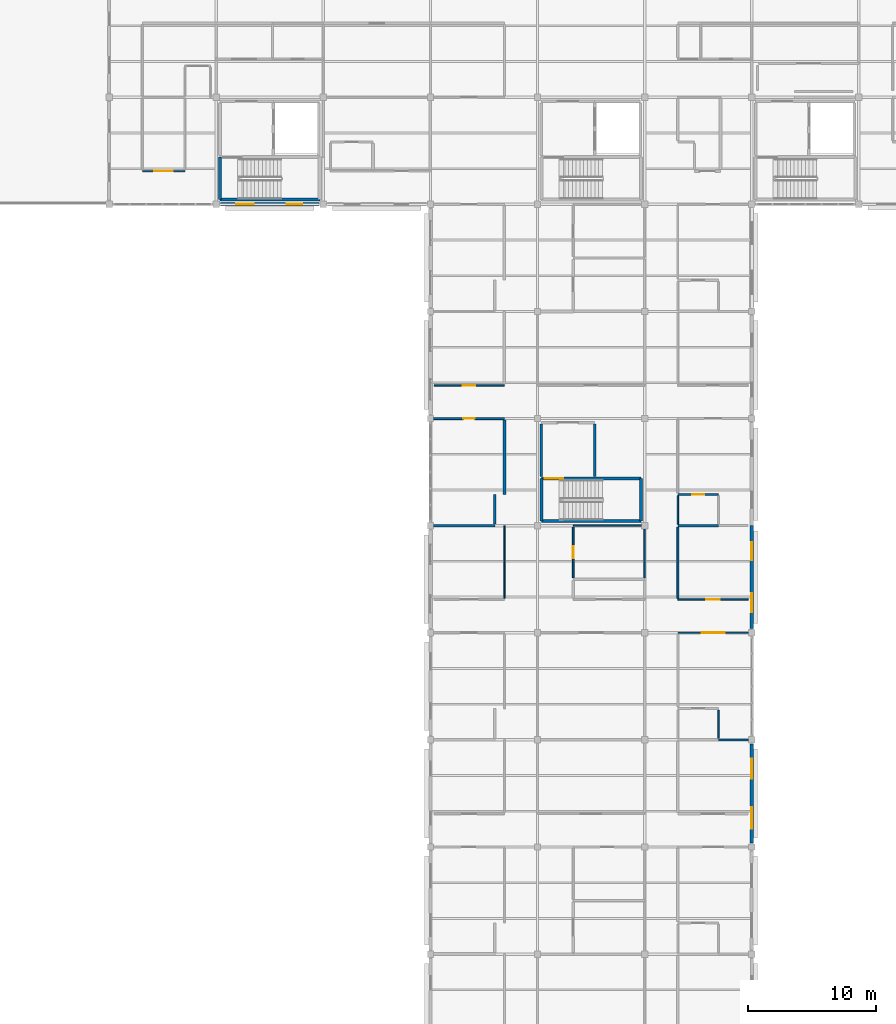
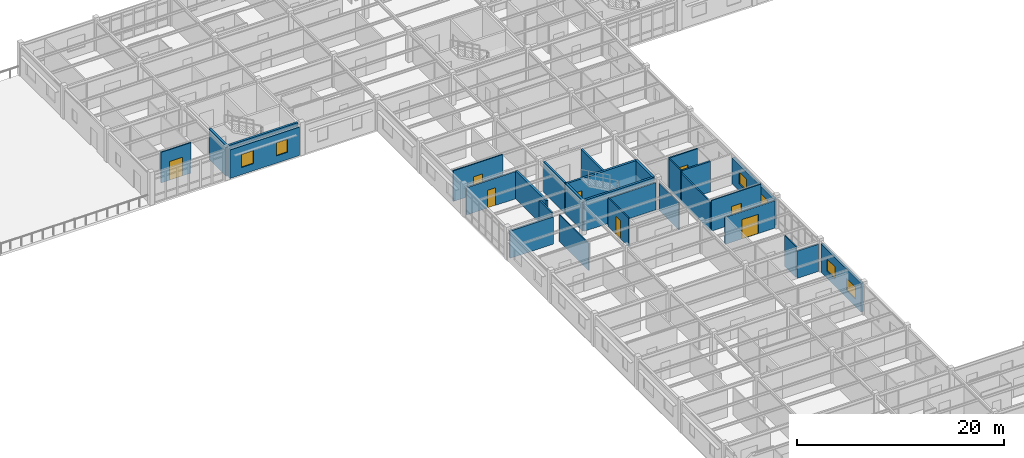
# One storey, part 38 of 53: 29 walls, 8 doors, 6 windows, 14 openings.
"""IFC4 building model written with IfcOpenShell, lengths in metres."""

from ifc_helpers import new_model, si_unit, direction, frame, frame_2d, origin, place, context, subcontext, project, spatial, rectangle, extrude, material, layer, layer_set, type_object, element, fill, save


model = new_model("IFC4")

# Units and contexts
model_context = context("Model", 3, precision=1e-05, world=origin(), true_north=direction((0.0, 1.0)))
body_context = subcontext(model_context, "Body", "Model", "MODEL_VIEW")
ifc_project = project(units=[si_unit("LENGTHUNIT", "METRE"), si_unit("AREAUNIT", "SQUARE_METRE"), si_unit("VOLUMEUNIT", "CUBIC_METRE"), si_unit("PLANEANGLEUNIT", "RADIAN"), si_unit("MASSUNIT", "GRAM", prefix="KILO")], contexts=[model_context])

# Site, building, storey
site_placement = place(None, origin())
site = spatial("IfcSite", under=ifc_project, at=site_placement, CompositionType="ELEMENT")
building_placement = place(site_placement, origin())
building = spatial("IfcBuilding", under=site, at=building_placement, Name="Bramfleet General Hospital", CompositionType="ELEMENT")
storey_placement = place(building_placement, frame((0.0, 0.0, 26.39990234375)))
storey = spatial("IfcBuildingStorey", under=building, at=storey_placement, Name="L06", CompositionType="ELEMENT", Elevation=26.39990234375)

# Wall, openings, windows
ifc_material_1 = material(Name="Precast concrete C40/50", Category="concrete")
ifc_layer_1 = layer(ifc_material_1, 0.280029296875, Name="WT-EW-06")
ifc_layer_set_1 = layer_set([ifc_layer_1], Name="Precast concrete C40/50")
wall_type_1 = type_object("IfcWallType", Name="WT-EW-06", PredefinedType="SOLIDWALL", material=ifc_layer_set_1)
wall_1_placement = place(storey_placement, frame((117.60009765625, 67.199951171875, 0.0), z_axis=(0.0, 0.0, 1.0), x_axis=(0.0, -1.0, 0.0)))
wall_1 = element("IfcWall", 1, at=wall_1_placement, inside=storey, type_object=wall_type_1, Name="L06 Exterior Wall 410", PredefinedType="SOLIDWALL", context=body_context, shape_type="SweptSolid", body=[
    extrude(rectangle(XDim=8.074951171875, YDim=0.280029296875, at=frame_2d((4.03759765625, 0.0))), origin(), (0.0, 0.0, 1.0), 3.110107421875),
])
opening_1_placement = place(wall_1_placement, frame((1.31884765625, 0.0, 0.85009765625)))
opening_1 = element("IfcOpeningElement", 2, at=opening_1_placement, cuts=wall_1, Name="Opening W-15", PredefinedType="OPENING", context=body_context, shape_type="SweptSolid", body=[
    extrude(rectangle(XDim=1.39990234375, YDim=1.419921875, at=frame_2d((0.699951171875, 0.7099609375))), frame((0.0, 0.14990234375, 0.0), z_axis=(0.0, -1.0, 0.0), x_axis=(1.0, 0.0, 0.0)), (0.0, 0.0, 1.0), 0.300048828125),
])
opening_2_placement = place(wall_1_placement, frame((5.306396484375, 0.0, 0.85009765625)))
opening_2 = element("IfcOpeningElement", 3, at=opening_2_placement, cuts=wall_1, Name="Opening W-16", PredefinedType="OPENING", context=body_context, shape_type="SweptSolid", body=[
    extrude(rectangle(XDim=1.5, YDim=1.419921875, at=frame_2d((0.75, 0.7099609375))), frame((0.0, 0.14990234375, 0.0), z_axis=(0.0, -1.0, 0.0), x_axis=(1.0, 0.0, 0.0)), (0.0, 0.0, 1.0), 0.300048828125),
])
ifc_material_2 = material(Name="Anodised aluminium and low-E triple glazing", Category="aluminium")
window_type_1 = type_object("IfcWindowType", Name="WIN-W-15", PartitioningType="SINGLE_PANEL", PredefinedType="WINDOW", material=ifc_material_2)
window_1_placement = place(opening_1_placement, origin())
window_1 = element("IfcWindow", 4, at=window_1_placement, inside=storey, type_object=window_type_1, Name="L06 Facade Window WIN-L06-410-1", OverallHeight=1.419921875, OverallWidth=1.39990234375, PartitioningType="SINGLE_PANEL", PredefinedType="WINDOW", context=body_context, shape_type="SweptSolid", body=[
    extrude(rectangle(XDim=1.39990234375, YDim=1.419921875, at=frame_2d((0.699951171875, 0.7099609375))), frame((0.0, 0.030029296875, 0.0), z_axis=(0.0, -1.0, 0.0), x_axis=(1.0, 0.0, 0.0)), (0.0, 0.0, 1.0), 0.06005859375),
])
fill(opening_1, window_1)
window_type_2 = type_object("IfcWindowType", Name="WIN-W-16", PartitioningType="SINGLE_PANEL", PredefinedType="WINDOW", material=ifc_material_2)
window_2_placement = place(opening_2_placement, origin())
window_2 = element("IfcWindow", 5, at=window_2_placement, inside=storey, type_object=window_type_2, Name="L06 Facade Window WIN-L06-410-2", OverallHeight=1.419921875, OverallWidth=1.5, PartitioningType="SINGLE_PANEL", PredefinedType="WINDOW", context=body_context, shape_type="SweptSolid", body=[
    extrude(rectangle(XDim=1.5, YDim=1.419921875, at=frame_2d((0.75, 0.7099609375))), frame((0.0, 0.030029296875, 0.0), z_axis=(0.0, -1.0, 0.0), x_axis=(1.0, 0.0, 0.0)), (0.0, 0.0, 1.0), 0.06005859375),
])
fill(opening_2, window_2)

ifc_layer_2 = layer(ifc_material_1, 0.264892578125, Name="WT-EW-07")
ifc_layer_set_2 = layer_set([ifc_layer_2], Name="Precast concrete C40/50")
wall_type_2 = type_object("IfcWallType", Name="WT-EW-07", PredefinedType="SOLIDWALL", material=ifc_layer_set_2)
wall_2_placement = place(storey_placement, frame((83.675048828125, 92.39990234375, 0.0), z_axis=(0.0, 0.0, 1.0), x_axis=(-1.0, 0.0, 0.0)))
wall_2 = element("IfcWall", 6, at=wall_2_placement, inside=storey, type_object=wall_type_2, Name="L06 Exterior Wall 390", PredefinedType="SOLIDWALL", context=body_context, shape_type="SweptSolid", body=[
    extrude(rectangle(XDim=7.75, YDim=0.264892578125, at=frame_2d((3.875, 0.0))), origin(), (0.0, 0.0, 1.0), 3.360107421875),
])
opening_3_placement = place(wall_2_placement, frame((1.3125, 0.0, 0.85009765625)))
opening_3 = element("IfcOpeningElement", 7, at=opening_3_placement, cuts=wall_2, Name="Opening W-23", PredefinedType="OPENING", context=body_context, shape_type="SweptSolid", body=[
    extrude(rectangle(XDim=1.25, YDim=1.5400390625, at=frame_2d((0.625, 0.77001953125))), frame((0.0, 0.142333984375, 0.0), z_axis=(0.0, -1.0, 0.0), x_axis=(1.0, 0.0, 0.0)), (0.0, 0.0, 1.0), 0.284912109375),
])
opening_4_placement = place(wall_2_placement, frame((5.137451171875, 0.0, 0.85009765625)))
opening_4 = element("IfcOpeningElement", 8, at=opening_4_placement, cuts=wall_2, Name="Opening W-24", PredefinedType="OPENING", context=body_context, shape_type="SweptSolid", body=[
    extrude(rectangle(XDim=1.35009765625, YDim=1.5400390625, at=frame_2d((0.675048828125, 0.77001953125))), frame((0.0, 0.142333984375, 0.0), z_axis=(0.0, -1.0, 0.0), x_axis=(1.0, 0.0, 0.0)), (0.0, 0.0, 1.0), 0.284912109375),
])
window_type_3 = type_object("IfcWindowType", Name="WIN-W-23", PartitioningType="SINGLE_PANEL", PredefinedType="WINDOW", material=ifc_material_2)
window_3_placement = place(opening_3_placement, origin())
window_3 = element("IfcWindow", 9, at=window_3_placement, inside=storey, type_object=window_type_3, Name="L06 Facade Window WIN-L06-390-1", OverallHeight=1.5400390625, OverallWidth=1.25, PartitioningType="SINGLE_PANEL", PredefinedType="WINDOW", context=body_context, shape_type="SweptSolid", body=[
    extrude(rectangle(XDim=1.25, YDim=1.5400390625, at=frame_2d((0.625, 0.77001953125))), frame((0.0, 0.030029296875, 0.0), z_axis=(0.0, -1.0, 0.0), x_axis=(1.0, 0.0, 0.0)), (0.0, 0.0, 1.0), 0.06005859375),
])
fill(opening_3, window_3)
window_type_4 = type_object("IfcWindowType", Name="WIN-W-24", PartitioningType="SINGLE_PANEL", PredefinedType="WINDOW", material=ifc_material_2)
window_4_placement = place(opening_4_placement, origin())
window_4 = element("IfcWindow", 10, at=window_4_placement, inside=storey, type_object=window_type_4, Name="L06 Facade Window WIN-L06-390-2", OverallHeight=1.5400390625, OverallWidth=1.35009765625, PartitioningType="SINGLE_PANEL", PredefinedType="WINDOW", context=body_context, shape_type="SweptSolid", body=[
    extrude(rectangle(XDim=1.35009765625, YDim=1.5400390625, at=frame_2d((0.675048828125, 0.77001953125))), frame((0.0, 0.030029296875, 0.0), z_axis=(0.0, -1.0, 0.0), x_axis=(1.0, 0.0, 0.0)), (0.0, 0.0, 1.0), 0.06005859375),
])
fill(opening_4, window_4)

wall_3_placement = place(storey_placement, frame((117.60009765625, 50.074951171875, 0.0), z_axis=(0.0, 0.0, 1.0), x_axis=(0.0, -1.0, 0.0)))
wall_3 = element("IfcWall", 11, at=wall_3_placement, inside=storey, type_object=wall_type_2, Name="L06 Exterior Wall 411", PredefinedType="SOLIDWALL", context=body_context, shape_type="SweptSolid", body=[
    extrude(rectangle(XDim=7.75, YDim=0.264892578125, at=frame_2d((3.875, 0.0))), origin(), (0.0, 0.0, 1.0), 3.380126953125),
])
opening_5_placement = place(wall_3_placement, frame((1.137451171875, 0.0, 0.85009765625)))
opening_5 = element("IfcOpeningElement", 12, at=opening_5_placement, cuts=wall_3, Name="Opening W-17", PredefinedType="OPENING", context=body_context, shape_type="SweptSolid", body=[
    extrude(rectangle(XDim=1.60009765625, YDim=1.419921875, at=frame_2d((0.800048828125, 0.7099609375))), frame((0.0, 0.142333984375, 0.0), z_axis=(0.0, -1.0, 0.0), x_axis=(1.0, 0.0, 0.0)), (0.0, 0.0, 1.0), 0.284912109375),
])
opening_6_placement = place(wall_3_placement, frame((4.96240234375, 0.0, 0.85009765625)))
opening_6 = element("IfcOpeningElement", 13, at=opening_6_placement, cuts=wall_3, Name="Opening W-18", PredefinedType="OPENING", context=body_context, shape_type="SweptSolid", body=[
    extrude(rectangle(XDim=1.699951171875, YDim=1.419921875, at=frame_2d((0.85009765625, 0.7099609375))), frame((0.0, 0.142333984375, 0.0), z_axis=(0.0, -1.0, 0.0), x_axis=(1.0, 0.0, 0.0)), (0.0, 0.0, 1.0), 0.284912109375),
])
window_type_5 = type_object("IfcWindowType", Name="WIN-W-17", PartitioningType="SINGLE_PANEL", PredefinedType="WINDOW", material=ifc_material_2)
window_5_placement = place(opening_5_placement, origin())
window_5 = element("IfcWindow", 14, at=window_5_placement, inside=storey, type_object=window_type_5, Name="L06 Facade Window WIN-L06-411-1", OverallHeight=1.419921875, OverallWidth=1.60009765625, PartitioningType="SINGLE_PANEL", PredefinedType="WINDOW", context=body_context, shape_type="SweptSolid", body=[
    extrude(rectangle(XDim=1.60009765625, YDim=1.419921875, at=frame_2d((0.800048828125, 0.7099609375))), frame((0.0, 0.030029296875, 0.0), z_axis=(0.0, -1.0, 0.0), x_axis=(1.0, 0.0, 0.0)), (0.0, 0.0, 1.0), 0.06005859375),
])
fill(opening_5, window_5)
window_type_6 = type_object("IfcWindowType", Name="WIN-W-18", PartitioningType="SINGLE_PANEL", PredefinedType="WINDOW", material=ifc_material_2)
window_6_placement = place(opening_6_placement, origin())
window_6 = element("IfcWindow", 15, at=window_6_placement, inside=storey, type_object=window_type_6, Name="L06 Facade Window WIN-L06-411-2", OverallHeight=1.419921875, OverallWidth=1.699951171875, PartitioningType="SINGLE_PANEL", PredefinedType="WINDOW", context=body_context, shape_type="SweptSolid", body=[
    extrude(rectangle(XDim=1.699951171875, YDim=1.419921875, at=frame_2d((0.85009765625, 0.7099609375))), frame((0.0, 0.030029296875, 0.0), z_axis=(0.0, -1.0, 0.0), x_axis=(1.0, 0.0, 0.0)), (0.0, 0.0, 1.0), 0.06005859375),
])
fill(opening_6, window_6)

# Walls
ifc_material_3 = material(Name="Concrete C35/45", Category="concrete")
ifc_layer_3 = layer(ifc_material_3, 0.219970703125, Name="WT-IW-01")
ifc_layer_set_3 = layer_set([ifc_layer_3], Name="Concrete C35/45")
wall_type_3 = type_object("IfcWallType", Name="WT-IW-01", PredefinedType="PARTITIONING", material=ifc_layer_set_3)
wall_4_placement = place(storey_placement, frame((98.199951171875, 69.64990234375, 0.0), z_axis=(0.0, 0.0, 1.0), x_axis=(0.0, 1.0, 0.0)))
element("IfcWall", 16, at=wall_4_placement, inside=storey, type_object=wall_type_3, Name="L06 Interior Partition IW-L06-4021", PredefinedType="PARTITIONING", context=body_context, shape_type="SweptSolid", body=[
    extrude(rectangle(XDim=5.835205078125, YDim=0.219970703125, at=frame_2d((2.91748046875, 0.0))), origin(), (0.0, 0.0, 1.0), 3.340087890625),
])
ifc_layer_4 = layer(ifc_material_3, 0.205078125, Name="WT-IW-02")
ifc_layer_set_4 = layer_set([ifc_layer_4], Name="Concrete C35/45")
wall_type_4 = type_object("IfcWallType", Name="WT-IW-02", PredefinedType="PARTITIONING", material=ifc_layer_set_4)
for number, where, z_axis, x_axis, name in (
    (17, (105.280029296875, 71.0400390625, 0.0), (0.0, 0.0, 1.0), (0.0, 1.0, 0.0), "L06 C11 Lobby East Shaft Wall"),
    (18, (101.10009765625, 71.0400390625, 0.0), (0.0, 0.0, 1.0), (0.0, 1.0, 0.0), "L06 C11 Lobby West Compartment Wall"),
):
    element("IfcWall", number, at=place(storey_placement, frame(where, z_axis=z_axis, x_axis=x_axis)), inside=storey, type_object=wall_type_4, Name=name, PredefinedType="PARTITIONING", context=body_context, shape_type="SweptSolid", body=[
        extrude(rectangle(XDim=4.119873046875, YDim=0.205078125, at=frame_2d((2.06005859375, 0.0))), origin(), (0.0, 0.0, 1.0), 3.610107421875),
    ])
wall_5_placement = place(storey_placement, frame((92.64501953125, 67.199951171875, 0.0), z_axis=(0.0, 0.0, 1.0), x_axis=(1.0, 0.0, 0.0)))
element("IfcWall", 19, at=wall_5_placement, inside=storey, type_object=wall_type_4, Name="L06 Interior Partition IW-L06-3902", PredefinedType="PARTITIONING", context=body_context, shape_type="SweptSolid", body=[
    extrude(rectangle(XDim=4.804931640625, YDim=0.205078125, at=frame_2d((2.40234375, 0.0))), origin(), (0.0, 0.0, 1.0), 3.210205078125),
])
ifc_layer_5 = layer(ifc_material_3, 0.18994140625, Name="WT-IW-03")
ifc_layer_set_5 = layer_set([ifc_layer_5], Name="Concrete C35/45")
wall_type_5 = type_object("IfcWallType", Name="WT-IW-03", PredefinedType="PARTITIONING", material=ifc_layer_set_5)
wall_6_placement = place(storey_placement, frame((97.449951171875, 67.31494140625, 0.0), z_axis=(0.0, 0.0, 1.0), x_axis=(0.0, 1.0, 0.0)))
element("IfcWall", 20, at=wall_6_placement, inside=storey, type_object=wall_type_5, Name="L06 Interior Partition IW-L06-4011", PredefinedType="PARTITIONING", context=body_context, shape_type="SweptSolid", body=[
    extrude(rectangle(XDim=2.3349609375, YDim=0.18994140625, at=frame_2d((1.16748046875, 0.0))), origin(), (0.0, 0.0, 1.0), 3.610107421875),
])
ifc_layer_6 = layer(ifc_material_3, 0.179931640625, Name="WT-IW-04")
ifc_layer_set_6 = layer_set([ifc_layer_6], Name="Concrete C35/45")
wall_type_6 = type_object("IfcWallType", Name="WT-IW-04", PredefinedType="PARTITIONING", material=ifc_layer_set_6)
wall_7_placement = place(storey_placement, frame((111.800048828125, 67.199951171875, 0.0), z_axis=(0.0, 0.0, 1.0), x_axis=(1.0, 0.0, 0.0)))
element("IfcWall", 21, at=wall_7_placement, inside=storey, type_object=wall_type_6, Name="L06 Interior Partition IW-L06-3904", PredefinedType="PARTITIONING", context=body_context, shape_type="SweptSolid", body=[
    extrude(rectangle(XDim=3.199951171875, YDim=0.179931640625, at=frame_2d((1.60009765625, 0.0))), origin(), (0.0, 0.0, 1.0), 3.610107421875),
])
ifc_material_4 = material(Name="Gypsum plasterboard on acoustic steel studs", Category="steel")
ifc_layer_7 = layer(ifc_material_4, 0.169921875, Name="WT-IW-05")
ifc_layer_set_7 = layer_set([ifc_layer_7], Name="Gypsum plasterboard on acoustic steel studs")
wall_type_7 = type_object("IfcWallType", Name="WT-IW-05", PredefinedType="PARTITIONING", material=ifc_layer_set_7)
wall_8_placement = place(storey_placement, frame((115.0, 50.39990234375, 0.0), z_axis=(0.0, 0.0, 1.0), x_axis=(1.0, 0.0, 0.0)))
element("IfcWall", 22, at=wall_8_placement, inside=storey, type_object=wall_type_7, Name="L06 Interior Partition IW-L06-3893", PredefinedType="PARTITIONING", context=body_context, shape_type="SweptSolid", body=[
    extrude(rectangle(XDim=2.35498046875, YDim=0.169921875, at=frame_2d((1.177490234375, 0.0))), origin(), (0.0, 0.0, 1.0), 3.210205078125),
])

# Wall, opening, door
ifc_layer_8 = layer(ifc_material_4, 0.159912109375, Name="WT-IW-06")
ifc_layer_set_8 = layer_set([ifc_layer_8], Name="Gypsum plasterboard on acoustic steel studs")
wall_type_8 = type_object("IfcWallType", Name="WT-IW-06", PredefinedType="PARTITIONING", material=ifc_layer_set_8)
wall_9_placement = place(storey_placement, frame((111.800048828125, 69.64990234375, 0.0), z_axis=(0.0, 0.0, 1.0), x_axis=(1.0, 0.0, 0.0)))
wall_9 = element("IfcWall", 23, at=wall_9_placement, inside=storey, type_object=wall_type_8, Name="L06 Interior Partition IW-L06-3906", PredefinedType="PARTITIONING", context=body_context, shape_type="SweptSolid", body=[
    extrude(rectangle(XDim=3.199951171875, YDim=0.159912109375, at=frame_2d((1.60009765625, 0.0))), origin(), (0.0, 0.0, 1.0), 3.610107421875),
])
opening_7_placement = place(wall_9_placement, frame((1.125, 0.0, 0.0)))
opening_7 = element("IfcOpeningElement", 24, at=opening_7_placement, cuts=wall_9, Name="Opening D1496", PredefinedType="OPENING", context=body_context, shape_type="SweptSolid", body=[
    extrude(rectangle(XDim=0.949951171875, YDim=2.10009765625, at=frame_2d((0.47509765625, 1.050048828125))), frame((0.0, 0.08984375, 0.0), z_axis=(0.0, -1.0, 0.0), x_axis=(1.0, 0.0, 0.0)), (0.0, 0.0, 1.0), 0.179931640625),
])
ifc_material_5 = material(Name="Stainless steel and acoustic timber leaf", Category="steel")
door_type_1 = type_object("IfcDoorType", Name="DR-D-10", OperationType="NOTDEFINED", PredefinedType="DOOR", material=ifc_material_5)
door_1_placement = place(opening_7_placement, origin())
door_1 = element("IfcDoor", 25, at=door_1_placement, inside=storey, type_object=door_type_1, Name="En-Suite Bathroom L06-1308 Door D1496", OperationType="SINGLE_SWING_LEFT", OverallHeight=2.10009765625, OverallWidth=0.949951171875, PredefinedType="DOOR", context=body_context, shape_type="SweptSolid", body=[
    extrude(rectangle(XDim=0.949951171875, YDim=2.10009765625, at=frame_2d((0.47509765625, 1.050048828125))), frame((0.0, 0.02490234375, 0.0), z_axis=(0.0, -1.0, 0.0), x_axis=(1.0, 0.0, 0.0)), (0.0, 0.0, 1.0), 0.050048828125),
])
fill(opening_7, door_1)

ifc_layer_9 = layer(ifc_material_4, 0.14990234375, Name="WT-IW-07")
ifc_layer_set_9 = layer_set([ifc_layer_9], Name="Gypsum plasterboard on acoustic steel studs")
wall_type_9 = type_object("IfcWallType", Name="WT-IW-07", PredefinedType="PARTITIONING", material=ifc_layer_set_9)
wall_10_placement = place(storey_placement, frame((92.64501953125, 75.60009765625, 0.0), z_axis=(0.0, 0.0, 1.0), x_axis=(1.0, 0.0, 0.0)))
wall_10 = element("IfcWall", 26, at=wall_10_placement, inside=storey, type_object=wall_type_9, Name="L06 Interior Partition IW-L06-3907", PredefinedType="PARTITIONING", context=body_context, shape_type="SweptSolid", body=[
    extrude(rectangle(XDim=5.554931640625, YDim=0.14990234375, at=frame_2d((2.77734375, 0.0))), origin(), (0.0, 0.0, 1.0), 3.210205078125),
])
opening_8_placement = place(wall_10_placement, frame((2.3173828125, 0.0, 0.0)))
opening_8 = element("IfcOpeningElement", 27, at=opening_8_placement, cuts=wall_10, Name="Opening D1465", PredefinedType="OPENING", context=body_context, shape_type="SweptSolid", body=[
    extrude(rectangle(XDim=0.919921875, YDim=2.080078125, at=frame_2d((0.4599609375, 1.0400390625))), frame((0.0, 0.0849609375, 0.0), z_axis=(0.0, -1.0, 0.0), x_axis=(1.0, 0.0, 0.0)), (0.0, 0.0, 1.0), 0.169921875),
])
door_type_2 = type_object("IfcDoorType", Name="DR-D-25", OperationType="NOTDEFINED", PredefinedType="DOOR", material=ifc_material_5)
door_2_placement = place(opening_8_placement, origin())
door_2 = element("IfcDoor", 28, at=door_2_placement, inside=storey, type_object=door_type_2, Name="Oncology and Neurology Ward Bedroom L06-1108 Door D1465", OperationType="SINGLE_SWING_RIGHT", OverallHeight=2.080078125, OverallWidth=0.919921875, PredefinedType="DOOR", context=body_context, shape_type="SweptSolid", body=[
    extrude(rectangle(XDim=0.919921875, YDim=2.080078125, at=frame_2d((0.4599609375, 1.0400390625))), frame((0.0, 0.02490234375, 0.0), z_axis=(0.0, -1.0, 0.0), x_axis=(1.0, 0.0, 0.0)), (0.0, 0.0, 1.0), 0.050048828125),
])
fill(opening_8, door_2)

# Wall
wall_11_placement = place(storey_placement, frame((111.800048828125, 61.514892578125, 0.0), z_axis=(0.0, 0.0, 1.0), x_axis=(0.0, 1.0, 0.0)))
element("IfcWall", 29, at=wall_11_placement, inside=storey, type_object=wall_type_9, Name="L06 Interior Partition IW-L06-4063", PredefinedType="PARTITIONING", context=body_context, shape_type="SweptSolid", body=[
    extrude(rectangle(XDim=5.570068359375, YDim=0.14990234375, at=frame_2d((2.78515625, 0.0))), origin(), (0.0, 0.0, 1.0), 3.340087890625),
])

# Wall, opening, door
ifc_layer_10 = layer(ifc_material_4, 0.1298828125, Name="WT-IW-09")
ifc_layer_set_10 = layer_set([ifc_layer_10], Name="Gypsum plasterboard on acoustic steel studs")
wall_type_10 = type_object("IfcWallType", Name="WT-IW-09", PredefinedType="PARTITIONING", material=ifc_layer_set_10)
wall_12_placement = place(storey_placement, frame((111.800048828125, 58.800048828125, 0.0), z_axis=(0.0, 0.0, 1.0), x_axis=(1.0, 0.0, 0.0)))
wall_12 = element("IfcWall", 30, at=wall_12_placement, inside=storey, type_object=wall_type_10, Name="L06 Interior Partition IW-L06-3897", PredefinedType="PARTITIONING", context=body_context, shape_type="SweptSolid", body=[
    extrude(rectangle(XDim=5.554931640625, YDim=0.1298828125, at=frame_2d((2.77734375, 0.0))), origin(), (0.0, 0.0, 1.0), 3.210205078125),
])
opening_9_placement = place(wall_12_placement, frame((1.857421875, 0.0, 0.0)))
opening_9 = element("IfcOpeningElement", 31, at=opening_9_placement, cuts=wall_12, Name="Opening D1492", PredefinedType="OPENING", context=body_context, shape_type="SweptSolid", body=[
    extrude(rectangle(XDim=1.840087890625, YDim=2.280029296875, at=frame_2d((0.919921875, 1.14013671875))), frame((0.0, 0.074951171875, 0.0), z_axis=(0.0, -1.0, 0.0), x_axis=(1.0, 0.0, 0.0)), (0.0, 0.0, 1.0), 0.14990234375),
])
door_type_3 = type_object("IfcDoorType", Name="DR-D-20", OperationType="NOTDEFINED", PredefinedType="DOOR", material=ifc_material_5)
door_3_placement = place(opening_9_placement, origin())
door_3 = element("IfcDoor", 32, at=door_3_placement, inside=storey, type_object=door_type_3, Name="Oncology and Neurology Ward Bedroom L06-1306 Door D1492", OperationType="DOUBLE_SWING_LEFT", OverallHeight=2.280029296875, OverallWidth=1.840087890625, PredefinedType="DOOR", context=body_context, shape_type="SweptSolid", body=[
    extrude(rectangle(XDim=1.840087890625, YDim=2.280029296875, at=frame_2d((0.919921875, 1.14013671875))), frame((0.0, 0.02490234375, 0.0), z_axis=(0.0, -1.0, 0.0), x_axis=(1.0, 0.0, 0.0)), (0.0, 0.0, 1.0), 0.050048828125),
])
fill(opening_9, door_3)

wall_13_placement = place(storey_placement, frame((92.679931640625, 78.199951171875, 0.0), z_axis=(0.0, 0.0, 1.0), x_axis=(1.0, 0.0, 0.0)))
wall_13 = element("IfcWall", 33, at=wall_13_placement, inside=storey, type_object=wall_type_10, Name="L06 Interior Partition IW-L06-3909", PredefinedType="PARTITIONING", context=body_context, shape_type="SweptSolid", body=[
    extrude(rectangle(XDim=5.52001953125, YDim=0.1298828125, at=frame_2d((2.760009765625, 0.0))), origin(), (0.0, 0.0, 1.0), 3.610107421875),
])
opening_10_placement = place(wall_13_placement, frame((2.27001953125, 0.0, 0.0)))
opening_10 = element("IfcOpeningElement", 34, at=opening_10_placement, cuts=wall_13, Name="Opening D1466", PredefinedType="OPENING", context=body_context, shape_type="SweptSolid", body=[
    extrude(rectangle(XDim=0.97998046875, YDim=2.1201171875, at=frame_2d((0.489990234375, 1.06005859375))), frame((0.0, 0.074951171875, 0.0), z_axis=(0.0, -1.0, 0.0), x_axis=(1.0, 0.0, 0.0)), (0.0, 0.0, 1.0), 0.14990234375),
])
door_type_4 = type_object("IfcDoorType", Name="DR-D-26", OperationType="NOTDEFINED", PredefinedType="DOOR", material=ifc_material_5)
door_4_placement = place(opening_10_placement, origin())
door_4 = element("IfcDoor", 35, at=door_4_placement, inside=storey, type_object=door_type_4, Name="Oncology and Neurology Ward Bedroom L06-1109 Door D1466", OperationType="SINGLE_SWING_LEFT", OverallHeight=2.1201171875, OverallWidth=0.97998046875, PredefinedType="DOOR", context=body_context, shape_type="SweptSolid", body=[
    extrude(rectangle(XDim=0.97998046875, YDim=2.1201171875, at=frame_2d((0.489990234375, 1.06005859375))), frame((0.0, 0.02490234375, 0.0), z_axis=(0.0, -1.0, 0.0), x_axis=(1.0, 0.0, 0.0)), (0.0, 0.0, 1.0), 0.050048828125),
])
fill(opening_10, door_4)

# Wall
ifc_layer_11 = layer(ifc_material_4, 0.1201171875, Name="WT-IW-10")
ifc_layer_set_11 = layer_set([ifc_layer_11], Name="Gypsum plasterboard on acoustic steel studs")
wall_type_11 = type_object("IfcWallType", Name="WT-IW-10", PredefinedType="PARTITIONING", material=ifc_layer_set_11)
wall_14_placement = place(storey_placement, frame((103.60009765625, 67.199951171875, 0.0), z_axis=(0.0, 0.0, 1.0), x_axis=(1.0, 0.0, 0.0)))
element("IfcWall", 36, at=wall_14_placement, inside=storey, type_object=wall_type_11, Name="L06 Interior Partition IW-L06-3903", PredefinedType="PARTITIONING", context=body_context, shape_type="SweptSolid", body=[
    extrude(rectangle(XDim=5.35498046875, YDim=0.1201171875, at=frame_2d((2.677490234375, 0.0))), origin(), (0.0, 0.0, 1.0), 3.210205078125),
])

# Wall, opening, door
wall_15_placement = place(storey_placement, frame((69.800048828125, 95.0, 0.0), z_axis=(0.0, 0.0, 1.0), x_axis=(1.0, 0.0, 0.0)))
wall_15 = element("IfcWall", 37, at=wall_15_placement, inside=storey, type_object=wall_type_11, Name="L06 Interior Partition IW-L06-3922", PredefinedType="PARTITIONING", context=body_context, shape_type="SweptSolid", body=[
    extrude(rectangle(XDim=3.349853515625, YDim=0.1201171875, at=frame_2d((1.6748046875, 0.0))), origin(), (0.0, 0.0, 1.0), 3.610107421875),
])
opening_11_placement = place(wall_15_placement, frame((0.949951171875, 0.0, 0.0)))
opening_11 = element("IfcOpeningElement", 38, at=opening_11_placement, cuts=wall_15, Name="Opening D1443", PredefinedType="OPENING", context=body_context, shape_type="SweptSolid", body=[
    extrude(rectangle(XDim=1.449951171875, YDim=2.199951171875, at=frame_2d((0.72509765625, 1.10009765625))), frame((0.0, 0.070068359375, 0.0), z_axis=(0.0, -1.0, 0.0), x_axis=(1.0, 0.0, 0.0)), (0.0, 0.0, 1.0), 0.14013671875),
])
door_type_5 = type_object("IfcDoorType", Name="DR-D-03", OperationType="NOTDEFINED", PredefinedType="DOOR", material=ifc_material_5)
door_5_placement = place(opening_11_placement, origin())
door_5 = element("IfcDoor", 39, at=door_5_placement, inside=storey, type_object=door_type_5, Name="Patient Dayroom and Garden Lounge L06-0811 Door D1443", OperationType="SINGLE_SWING_RIGHT", OverallHeight=2.199951171875, OverallWidth=1.449951171875, PredefinedType="DOOR", context=body_context, shape_type="SweptSolid", body=[
    extrude(rectangle(XDim=1.449951171875, YDim=2.199951171875, at=frame_2d((0.72509765625, 1.10009765625))), frame((0.0, 0.02490234375, 0.0), z_axis=(0.0, -1.0, 0.0), x_axis=(1.0, 0.0, 0.0)), (0.0, 0.0, 1.0), 0.050048828125),
])
fill(opening_11, door_5)

wall_16_placement = place(storey_placement, frame((103.60009765625, 63.114990234375, 0.0), z_axis=(0.0, 0.0, 1.0), x_axis=(0.0, 1.0, 0.0)))
wall_16 = element("IfcWall", 40, at=wall_16_placement, inside=storey, type_object=wall_type_11, Name="L06 Interior Partition IW-L06-4037", PredefinedType="PARTITIONING", context=body_context, shape_type="SweptSolid", body=[
    extrude(rectangle(XDim=3.969970703125, YDim=0.1201171875, at=frame_2d((1.98486328125, 0.0))), origin(), (0.0, 0.0, 1.0), 3.340087890625),
])
opening_12_placement = place(wall_16_placement, frame((1.510009765625, 0.0, 0.0)))
opening_12 = element("IfcOpeningElement", 41, at=opening_12_placement, cuts=wall_16, Name="Opening D1479", PredefinedType="OPENING", context=body_context, shape_type="SweptSolid", body=[
    extrude(rectangle(XDim=0.949951171875, YDim=2.10009765625, at=frame_2d((0.47509765625, 1.050048828125))), frame((0.0, 0.070068359375, 0.0), z_axis=(0.0, -1.0, 0.0), x_axis=(1.0, 0.0, 0.0)), (0.0, 0.0, 1.0), 0.14013671875),
])
door_6_placement = place(opening_12_placement, origin())
door_6 = element("IfcDoor", 42, at=door_6_placement, inside=storey, type_object=door_type_1, Name="L06 Accessible and Staff WC 1207 Door D1479", OperationType="SINGLE_SWING_LEFT", OverallHeight=2.10009765625, OverallWidth=0.949951171875, PredefinedType="DOOR", context=body_context, shape_type="SweptSolid", body=[
    extrude(rectangle(XDim=0.949951171875, YDim=2.10009765625, at=frame_2d((0.47509765625, 1.050048828125))), frame((0.0, 0.02490234375, 0.0), z_axis=(0.0, -1.0, 0.0), x_axis=(1.0, 0.0, 0.0)), (0.0, 0.0, 1.0), 0.050048828125),
])
fill(opening_12, door_6)

# Walls
wall_17_placement = place(storey_placement, frame((109.199951171875, 63.114990234375, 0.0), z_axis=(0.0, 0.0, 1.0), x_axis=(0.0, 1.0, 0.0)))
element("IfcWall", 43, at=wall_17_placement, inside=storey, type_object=wall_type_11, Name="L06 Interior Partition IW-L06-4048", PredefinedType="PARTITIONING", context=body_context, shape_type="SweptSolid", body=[
    extrude(rectangle(XDim=3.840087890625, YDim=0.1201171875, at=frame_2d((1.919921875, 0.0))), origin(), (0.0, 0.0, 1.0), 3.210205078125),
])
wall_18_placement = place(storey_placement, frame((111.800048828125, 67.31494140625, 0.0), z_axis=(0.0, 0.0, 1.0), x_axis=(0.0, 1.0, 0.0)))
element("IfcWall", 44, at=wall_18_placement, inside=storey, type_object=wall_type_11, Name="L06 Interior Partition IW-L06-4064", PredefinedType="PARTITIONING", context=body_context, shape_type="SweptSolid", body=[
    extrude(rectangle(XDim=2.219970703125, YDim=0.1201171875, at=frame_2d((1.10986328125, 0.0))), origin(), (0.0, 0.0, 1.0), 3.610107421875),
])
wall_19_placement = place(storey_placement, frame((115.0, 50.514892578125, 0.0), z_axis=(0.0, 0.0, 1.0), x_axis=(0.0, 1.0, 0.0)))
element("IfcWall", 45, at=wall_19_placement, inside=storey, type_object=wall_type_11, Name="L06 Interior Partition IW-L06-4078", PredefinedType="PARTITIONING", context=body_context, shape_type="SweptSolid", body=[
    extrude(rectangle(XDim=2.22021484375, YDim=0.1201171875, at=frame_2d((1.110107421875, 0.0))), origin(), (0.0, 0.0, 1.0), 3.610107421875),
])

# Wall, opening, door
ifc_layer_12 = layer(ifc_material_4, 0.10009765625, Name="WT-IW-12")
ifc_layer_set_12 = layer_set([ifc_layer_12], Name="Gypsum plasterboard on acoustic steel studs")
wall_type_12 = type_object("IfcWallType", Name="WT-IW-12", PredefinedType="PARTITIONING", material=ifc_layer_set_12)
wall_20_placement = place(storey_placement, frame((111.800048828125, 61.39990234375, 0.0), z_axis=(0.0, 0.0, 1.0), x_axis=(1.0, 0.0, 0.0)))
wall_20 = element("IfcWall", 46, at=wall_20_placement, inside=storey, type_object=wall_type_12, Name="L06 Interior Partition IW-L06-3900", PredefinedType="PARTITIONING", context=body_context, shape_type="SweptSolid", body=[
    extrude(rectangle(XDim=5.52001953125, YDim=0.10009765625, at=frame_2d((2.760009765625, 0.0))), origin(), (0.0, 0.0, 1.0), 3.610107421875),
])
opening_13_placement = place(wall_20_placement, frame((2.219970703125, 0.0, 0.0)))
opening_13 = element("IfcOpeningElement", 47, at=opening_13_placement, cuts=wall_20, Name="Opening D1494", PredefinedType="OPENING", context=body_context, shape_type="SweptSolid", body=[
    extrude(rectangle(XDim=1.080078125, YDim=2.1201171875, at=frame_2d((0.5400390625, 1.06005859375))), frame((0.0, 0.06005859375, 0.0), z_axis=(0.0, -1.0, 0.0), x_axis=(1.0, 0.0, 0.0)), (0.0, 0.0, 1.0), 0.1201171875),
])
door_type_6 = type_object("IfcDoorType", Name="DR-D-22", OperationType="NOTDEFINED", PredefinedType="DOOR", material=ifc_material_5)
door_7_placement = place(opening_13_placement, origin())
door_7 = element("IfcDoor", 48, at=door_7_placement, inside=storey, type_object=door_type_6, Name="Oncology and Neurology Ward Bedroom L06-1307 Door D1494", OperationType="SINGLE_SWING_LEFT", OverallHeight=2.1201171875, OverallWidth=1.080078125, PredefinedType="DOOR", context=body_context, shape_type="SweptSolid", body=[
    extrude(rectangle(XDim=1.080078125, YDim=2.1201171875, at=frame_2d((0.5400390625, 1.06005859375))), frame((0.0, 0.02490234375, 0.0), z_axis=(0.0, -1.0, 0.0), x_axis=(1.0, 0.0, 0.0)), (0.0, 0.0, 1.0), 0.050048828125),
])
fill(opening_13, door_7)

# Walls
wall_21_placement = place(storey_placement, frame((98.199951171875, 61.514892578125, 0.0), z_axis=(0.0, 0.0, 1.0), x_axis=(0.0, 1.0, 0.0)))
element("IfcWall", 49, at=wall_21_placement, inside=storey, type_object=wall_type_12, Name="L06 Interior Partition IW-L06-4020", PredefinedType="PARTITIONING", context=body_context, shape_type="SweptSolid", body=[
    extrude(rectangle(XDim=5.68505859375, YDim=0.10009765625, at=frame_2d((2.842529296875, 0.0))), origin(), (0.0, 0.0, 1.0), 3.210205078125),
])
ifc_material_6 = material(Name="Concrete C40/50", Category="concrete")
ifc_layer_13 = layer(ifc_material_6, 0.239990234375, Name="WT-SW-240")
ifc_layer_set_13 = layer_set([ifc_layer_13], Name="Concrete C40/50")
wall_type_13 = type_object("IfcWallType", Name="WT-SW-240", PredefinedType="SHEAR", material=ifc_layer_set_13)
wall_22_placement = place(storey_placement, frame((75.89990234375, 92.780029296875, 0.0), z_axis=(0.0, 0.0, 1.0), x_axis=(1.0, 0.0, 0.0)))
element("IfcWall", 50, at=wall_22_placement, inside=storey, type_object=wall_type_13, Name="L06 C5 South Stair Shear Wall", PredefinedType="SHEAR", context=body_context, shape_type="SweptSolid", body=[
    extrude(rectangle(XDim=7.820068359375, YDim=0.239990234375, at=frame_2d((3.91015625, 0.0))), origin(), (0.0, 0.0, 1.0), 3.6201171875),
])
wall_23_placement = place(storey_placement, frame((75.89990234375, 92.780029296875, 0.0), z_axis=(0.0, 0.0, 1.0), x_axis=(0.0, 1.0, 0.0)))
element("IfcWall", 51, at=wall_23_placement, inside=storey, type_object=wall_type_13, Name="L06 C5 West Stair Shear Wall", PredefinedType="SHEAR", context=body_context, shape_type="SweptSolid", body=[
    extrude(rectangle(XDim=3.320068359375, YDim=0.239990234375, at=frame_2d((1.66015625, 0.0))), origin(), (0.0, 0.0, 1.0), 3.6201171875),
])
wall_24_placement = place(storey_placement, frame((101.10009765625, 67.580078125, 0.0), z_axis=(0.0, 0.0, 1.0), x_axis=(1.0, 0.0, 0.0)))
element("IfcWall", 52, at=wall_24_placement, inside=storey, type_object=wall_type_13, Name="L06 C11 South Stair Shear Wall", PredefinedType="SHEAR", context=body_context, shape_type="SweptSolid", body=[
    extrude(rectangle(XDim=7.81982421875, YDim=0.239990234375, at=frame_2d((3.909912109375, 0.0))), origin(), (0.0, 0.0, 1.0), 3.6201171875),
])
for number, where, z_axis, x_axis, name in (
    (53, (101.10009765625, 67.580078125, 0.0), (0.0, 0.0, 1.0), (0.0, 1.0, 0.0), "L06 C11 West Stair Shear Wall"),
    (54, (108.919921875, 67.580078125, 0.0), (0.0, 0.0, 1.0), (0.0, 1.0, 0.0), "L06 C11 East Stair Shear Wall"),
):
    element("IfcWall", number, at=place(storey_placement, frame(where, z_axis=z_axis, x_axis=x_axis)), inside=storey, type_object=wall_type_13, Name=name, PredefinedType="SHEAR", context=body_context, shape_type="SweptSolid", body=[
        extrude(rectangle(XDim=3.31982421875, YDim=0.239990234375, at=frame_2d((1.659912109375, 0.0))), origin(), (0.0, 0.0, 1.0), 3.6201171875),
    ])

# Wall, opening, door
wall_25_placement = place(storey_placement, frame((101.10009765625, 70.89990234375, 0.0), z_axis=(0.0, 0.0, 1.0), x_axis=(1.0, 0.0, 0.0)))
wall_25 = element("IfcWall", 55, at=wall_25_placement, inside=storey, type_object=wall_type_13, Name="L06 C11 Stair-Lobby Shear Wall", PredefinedType="SHEAR", context=body_context, shape_type="SweptSolid", body=[
    extrude(rectangle(XDim=7.81982421875, YDim=0.239990234375, at=frame_2d((3.909912109375, 0.0))), origin(), (0.0, 0.0, 1.0), 3.6201171875),
])
opening_14_placement = place(wall_25_placement, frame((0.25, 0.0, 0.0)))
opening_14 = element("IfcOpeningElement", 56, at=opening_14_placement, cuts=wall_25, Name="Opening D0151", PredefinedType="OPENING", context=body_context, shape_type="SweptSolid", body=[
    extrude(rectangle(XDim=1.449951171875, YDim=2.199951171875, at=frame_2d((0.72509765625, 1.10009765625))), frame((0.0, 0.1298828125, 0.0), z_axis=(0.0, -1.0, 0.0), x_axis=(1.0, 0.0, 0.0)), (0.0, 0.0, 1.0), 0.260009765625),
])
door_8_placement = place(opening_14_placement, origin())
door_8 = element("IfcDoor", 57, at=door_8_placement, inside=storey, type_object=door_type_5, Name="L06 C11 Escape Stair Fire Door D0151", OperationType="SINGLE_SWING_RIGHT", OverallHeight=2.199951171875, OverallWidth=1.449951171875, PredefinedType="DOOR", context=body_context, shape_type="SweptSolid", body=[
    extrude(rectangle(XDim=1.449951171875, YDim=2.199951171875, at=frame_2d((0.72509765625, 1.10009765625))), frame((0.0, 0.02490234375, 0.0), z_axis=(0.0, -1.0, 0.0), x_axis=(1.0, 0.0, 0.0)), (0.0, 0.0, 1.0), 0.050048828125),
])
fill(opening_14, door_8)

save(model, "model.ifc")
